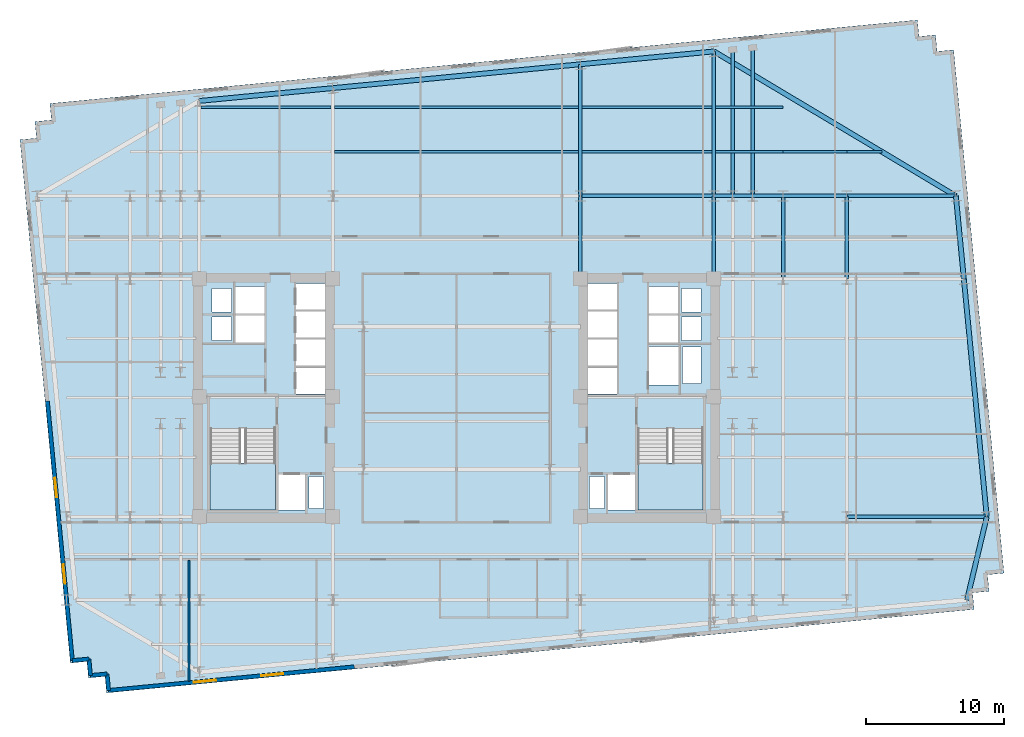
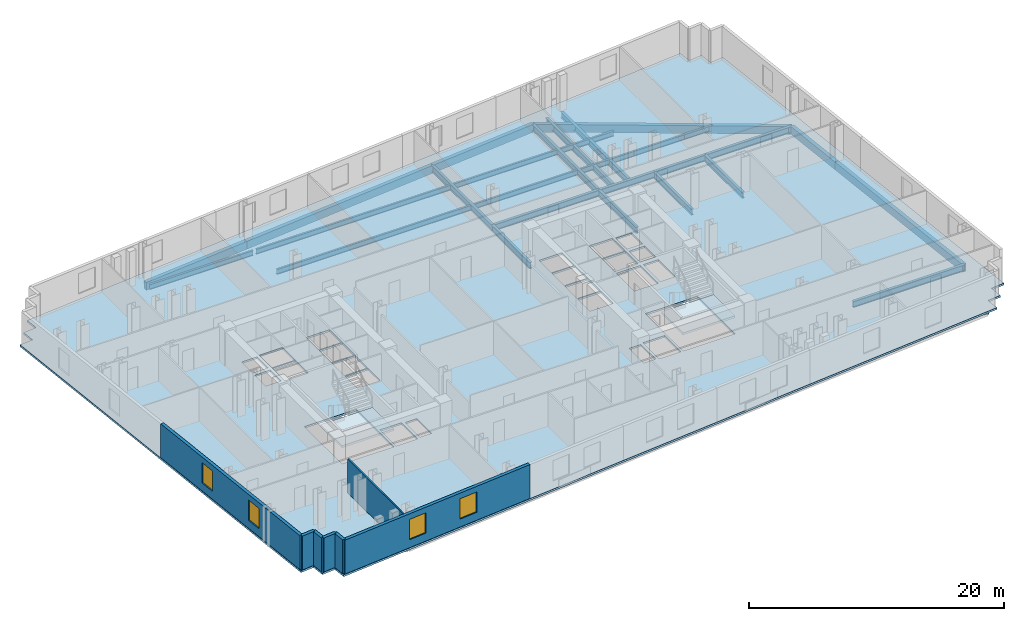
# One storey, part 3 of 11: 29 beams, 7 walls, 4 windows, 3 slabs, 4 openings, 2 elements without a shape of their own.
"""IFC4 building model written with IfcOpenShell, lengths in metres."""

from ifc_helpers import new_model, si_unit, direction, frame, frame_2d, origin, origin_2d, place, context, subcontext, project, spatial, polyline, rectangle, i_section, outline, extrude, material, layer, layer_set, material_profile, profile_set, type_object, element, fill, aggregate, save


model = new_model("IFC4")

# Units and contexts
model_context = context("Model", 3, precision=1e-05, world=origin(), true_north=direction((0.0, 1.0)))
body_context = subcontext(model_context, "Body", "Model", "MODEL_VIEW")
ifc_project = project(units=[si_unit("LENGTHUNIT", "METRE"), si_unit("AREAUNIT", "SQUARE_METRE"), si_unit("VOLUMEUNIT", "CUBIC_METRE"), si_unit("PLANEANGLEUNIT", "RADIAN"), si_unit("MASSUNIT", "GRAM", prefix="KILO")], contexts=[model_context])

# Site, building, storey
site_placement = place(None, origin())
site = spatial("IfcSite", under=ifc_project, at=site_placement, CompositionType="ELEMENT")
building_placement = place(site_placement, origin())
building = spatial("IfcBuilding", under=site, at=building_placement, Name="Velakula Bourse", CompositionType="ELEMENT")
storey_placement = place(building_placement, frame((0.0, 0.0, 105.25)))
storey = spatial("IfcBuildingStorey", under=building, at=storey_placement, Name="L28", CompositionType="ELEMENT", Elevation=105.25)

# Beams
ifc_material_1 = material(Name="Steel IS 2062 Grade 350 (E350)", Category="steel")
ifc_material_profile_1 = material_profile(ifc_material_1, i_section(OverallWidth=0.25, OverallDepth=0.60009765625, WebThickness=0.01171875, FlangeThickness=0.023681640625, at=origin_2d()), Name="Steel IS 2062 Grade 350 (E350)")
ifc_profile_set_1 = profile_set([ifc_material_profile_1], Name="Steel IS 2062 Grade 350 (E350)")
beam_type_1 = type_object("IfcBeamType", Name="BM-GRD-600H", PredefinedType="BEAM", material=ifc_profile_set_1)
for number, where, z_axis, x_axis, name in (
    (1, (8.949951171875, 8.60009765625, -0.47998046875), (0.0, 1.0, 0.0), (-1.0, 0.0, 0.0), "L28 Fulcrum Grid Girder FLC-ECN"),
    (2, (18.60009765625, 8.60009765625, -0.47998046875), (0.0, 1.0, 0.0), (-1.0, 0.0, 0.0), "L28 Fulcrum Grid Girder FLC-EN"),
):
    element("IfcBeam", number, at=place(storey_placement, frame(where, z_axis=z_axis, x_axis=x_axis)), inside=storey, type_object=beam_type_1, Name=name, PredefinedType="BEAM", context=body_context, shape_type="SweptSolid", body=[
        extrude(i_section(OverallWidth=0.25, OverallDepth=0.60009765625, WebThickness=0.01171875, FlangeThickness=0.023681640625, at=origin_2d()), origin(), (0.0, 0.0, 1.0), 6.0),
    ])
beam_1_placement = place(storey_placement, frame((8.949951171875, 14.60009765625, -0.47998046875), z_axis=(1.0, 0.0, 0.0), x_axis=(0.0, 1.0, 0.0)))
element("IfcBeam", 3, at=beam_1_placement, inside=storey, type_object=beam_type_1, Name="L28 Fulcrum Grid Girder FLC-N3", PredefinedType="BEAM", context=body_context, shape_type="SweptSolid", body=[
    extrude(i_section(OverallWidth=0.25, OverallDepth=0.60009765625, WebThickness=0.01171875, FlangeThickness=0.023681640625, at=origin_2d()), origin(), (0.0, 0.0, 1.0), 9.650146484375),
])
beam_2_placement = place(storey_placement, frame((18.60009765625, 14.60009765625, -0.47998046875), z_axis=(1.0, 0.0, 0.0), x_axis=(0.0, 1.0, 0.0)))
element("IfcBeam", 4, at=beam_2_placement, inside=storey, type_object=beam_type_1, Name="L28 Fulcrum Grid Girder MWG-EN2", PredefinedType="BEAM", context=body_context, shape_type="SweptSolid", body=[
    extrude(i_section(OverallWidth=0.25, OverallDepth=0.60009765625, WebThickness=0.01171875, FlangeThickness=0.023681640625, at=origin_2d()), origin(), (0.0, 0.0, 1.0), 5.0),
])
beam_3_placement = place(storey_placement, frame((23.60009765625, 8.60009765625, -0.47998046875), z_axis=(0.0, 1.0, 0.0), x_axis=(-1.0, 0.0, 0.0)))
element("IfcBeam", 5, at=beam_3_placement, inside=storey, type_object=beam_type_1, Name="L28 Fulcrum Grid Girder MWG-ENS3", PredefinedType="BEAM", context=body_context, shape_type="SweptSolid", body=[
    extrude(i_section(OverallWidth=0.25, OverallDepth=0.60009765625, WebThickness=0.01171875, FlangeThickness=0.023681640625, at=origin_2d()), origin(), (0.0, 0.0, 1.0), 6.0),
])
beam_4_placement = place(storey_placement, frame((23.60009765625, 14.60009765625, -0.47998046875), z_axis=(1.0, 0.0, 0.0), x_axis=(0.0, 1.0, 0.0)))
element("IfcBeam", 6, at=beam_4_placement, inside=storey, type_object=beam_type_1, Name="L28 Fulcrum Grid Girder WNG-EN2", PredefinedType="BEAM", context=body_context, shape_type="SweptSolid", body=[
    extrude(i_section(OverallWidth=0.25, OverallDepth=0.60009765625, WebThickness=0.01171875, FlangeThickness=0.023681640625, at=origin_2d()), origin(), (0.0, 0.0, 1.0), 4.599853515625),
])
beam_5_placement = place(storey_placement, frame((28.199951171875, 8.60009765625, -0.47998046875), z_axis=(0.0, 1.0, 0.0), x_axis=(-1.0, 0.0, 0.0)))
element("IfcBeam", 7, at=beam_5_placement, inside=storey, type_object=beam_type_1, Name="L28 Fulcrum Grid Girder WNG-ENS3", PredefinedType="BEAM", context=body_context, shape_type="SweptSolid", body=[
    extrude(i_section(OverallWidth=0.25, OverallDepth=0.60009765625, WebThickness=0.01171875, FlangeThickness=0.023681640625, at=origin_2d()), origin(), (0.0, 0.0, 1.0), 6.0),
])
beam_6_placement = place(storey_placement, frame((8.949951171875, 14.60009765625, -0.47998046875), z_axis=(0.0, 1.0, 0.0), x_axis=(-1.0, 0.0, 0.0)))
element("IfcBeam", 8, at=beam_6_placement, inside=storey, type_object=beam_type_1, Name="L28 Perimeter Tie Girder N3", PredefinedType="BEAM", context=body_context, shape_type="SweptSolid", body=[
    extrude(i_section(OverallWidth=0.25, OverallDepth=0.60009765625, WebThickness=0.01171875, FlangeThickness=0.023681640625, at=origin_2d()), origin(), (0.0, 0.0, 1.0), 9.521484375),
])
beam_7_placement = place(storey_placement, frame((18.60009765625, 14.60009765625, -0.47998046875), z_axis=(0.0, 1.0, 0.0), x_axis=(-1.0, 0.0, 0.0)))
element("IfcBeam", 9, at=beam_7_placement, inside=storey, type_object=beam_type_1, Name="L28 Perimeter Tie Girder N4", PredefinedType="BEAM", context=body_context, shape_type="SweptSolid", body=[
    extrude(i_section(OverallWidth=0.25, OverallDepth=0.60009765625, WebThickness=0.01171875, FlangeThickness=0.023681640625, at=origin_2d()), origin(), (0.0, 0.0, 1.0), 10.45068359375),
])
beam_8_placement = place(storey_placement, frame((28.199951171875, -8.60009765625, -0.47998046875), z_axis=(1.0, 0.0, 0.0), x_axis=(0.0, 1.0, 0.0)))
element("IfcBeam", 10, at=beam_8_placement, inside=storey, type_object=beam_type_1, Name="L28 Perimeter Tie Girder E2", PredefinedType="BEAM", context=body_context, shape_type="SweptSolid", body=[
    extrude(i_section(OverallWidth=0.25, OverallDepth=0.60009765625, WebThickness=0.01171875, FlangeThickness=0.023681640625, at=origin_2d()), origin(), (0.0, 0.0, 1.0), 10.119873046875),
])
beam_9_placement = place(storey_placement, frame((28.199951171875, 14.60009765625, -0.47998046875), z_axis=(1.0, 0.0, 0.0), x_axis=(0.0, 1.0, 0.0)))
element("IfcBeam", 11, at=beam_9_placement, inside=storey, type_object=beam_type_1, Name="L28 Perimeter Tie Girder E4", PredefinedType="BEAM", context=body_context, shape_type="SweptSolid", body=[
    extrude(i_section(OverallWidth=0.25, OverallDepth=0.60009765625, WebThickness=0.01171875, FlangeThickness=0.023681640625, at=origin_2d()), origin(), (0.0, 0.0, 1.0), 7.885986328125),
])
beam_10_placement = place(storey_placement, frame((19.949951171875, 14.60009765625, -0.47998046875), z_axis=(0.0, 1.0, 0.0), x_axis=(-1.0, 0.0, 0.0)))
element("IfcBeam", 12, at=beam_10_placement, inside=storey, type_object=beam_type_1, Name="L28 Perimeter Tie Girder P07", PredefinedType="BEAM", context=body_context, shape_type="SweptSolid", body=[
    extrude(i_section(OverallWidth=0.25, OverallDepth=0.60009765625, WebThickness=0.01171875, FlangeThickness=0.023681640625, at=origin_2d()), origin(), (0.0, 0.0, 1.0), 10.580810546875),
])
beam_11_placement = place(storey_placement, frame((21.39990234375, 14.60009765625, -0.47998046875), z_axis=(0.0, 1.0, 0.0), x_axis=(-1.0, 0.0, 0.0)))
element("IfcBeam", 13, at=beam_11_placement, inside=storey, type_object=beam_type_1, Name="L28 Perimeter Tie Girder P08", PredefinedType="BEAM", context=body_context, shape_type="SweptSolid", body=[
    extrude(i_section(OverallWidth=0.25, OverallDepth=0.60009765625, WebThickness=0.01171875, FlangeThickness=0.023681640625, at=origin_2d()), origin(), (0.0, 0.0, 1.0), 10.720458984375),
])
ifc_material_profile_2 = material_profile(ifc_material_1, i_section(OverallWidth=0.179931640625, OverallDepth=0.5, WebThickness=0.01025390625, FlangeThickness=0.01708984375, at=origin_2d()), Name="Steel IS 2062 Grade 350 (E350)")
ifc_profile_set_2 = profile_set([ifc_material_profile_2], Name="Steel IS 2062 Grade 350 (E350)")
beam_type_2 = type_object("IfcBeamType", Name="JST-TWR-500", PredefinedType="JOIST", material=ifc_profile_set_2)
beam_12_placement = place(storey_placement, frame((-8.824951171875, 17.800048828125, -0.429931640625), z_axis=(1.0, 0.0, 0.0), x_axis=(0.0, 1.0, 0.0)))
element("IfcBeam", 14, at=beam_12_placement, inside=storey, type_object=beam_type_2, Name="L28 Trading Floor Composite Joist 22", PredefinedType="JOIST", context=body_context, shape_type="SweptSolid", body=[
    extrude(i_section(OverallWidth=0.179931640625, OverallDepth=0.5, WebThickness=0.01025390625, FlangeThickness=0.01708984375, at=origin_2d()), origin(), (0.0, 0.0, 1.0), 17.64990234375),
])
beam_13_placement = place(storey_placement, frame((9.074951171875, 17.800048828125, -0.429931640625), z_axis=(1.0, 0.0, 0.0), x_axis=(0.0, 1.0, 0.0)))
element("IfcBeam", 15, at=beam_13_placement, inside=storey, type_object=beam_type_2, Name="L28 Trading Floor Composite Joist 23", PredefinedType="JOIST", context=body_context, shape_type="SweptSolid", body=[
    extrude(i_section(OverallWidth=0.179931640625, OverallDepth=0.5, WebThickness=0.01025390625, FlangeThickness=0.01708984375, at=origin_2d()), origin(), (0.0, 0.0, 1.0), 9.400146484375),
])
beam_14_placement = place(storey_placement, frame((18.72509765625, 17.800048828125, -0.429931640625), z_axis=(1.0, 0.0, 0.0), x_axis=(0.0, 1.0, 0.0)))
element("IfcBeam", 16, at=beam_14_placement, inside=storey, type_object=beam_type_2, Name="L28 Trading Floor Composite Joist 24", PredefinedType="JOIST", context=body_context, shape_type="SweptSolid", body=[
    extrude(i_section(OverallWidth=0.179931640625, OverallDepth=0.5, WebThickness=0.01025390625, FlangeThickness=0.01708984375, at=origin_2d()), origin(), (0.0, 0.0, 1.0), 4.875),
])
beam_15_placement = place(storey_placement, frame((23.60009765625, 17.800048828125, -0.429931640625), z_axis=(1.0, 0.0, 0.0), x_axis=(0.0, 1.0, 0.0)))
element("IfcBeam", 17, at=beam_15_placement, inside=storey, type_object=beam_type_2, Name="L28 Trading Floor Composite Joist 25", PredefinedType="JOIST", context=body_context, shape_type="SweptSolid", body=[
    extrude(i_section(OverallWidth=0.179931640625, OverallDepth=0.5, WebThickness=0.01025390625, FlangeThickness=0.01708984375, at=origin_2d()), origin(), (0.0, 0.0, 1.0), 4.599853515625),
])
beam_16_placement = place(storey_placement, frame((28.199951171875, 17.800048828125, -0.429931640625), z_axis=(1.0, 0.0, 0.0), x_axis=(0.0, 1.0, 0.0)))
element("IfcBeam", 18, at=beam_16_placement, inside=storey, type_object=beam_type_2, Name="L28 Trading Floor Composite Joist 26", PredefinedType="JOIST", context=body_context, shape_type="SweptSolid", body=[
    extrude(i_section(OverallWidth=0.179931640625, OverallDepth=0.5, WebThickness=0.01025390625, FlangeThickness=0.01708984375, at=origin_2d()), origin(), (0.0, 0.0, 1.0), 2.53173828125),
])
beam_17_placement = place(storey_placement, frame((-18.47509765625, 21.0, -0.429931640625), z_axis=(1.0, 0.0, 0.0), x_axis=(0.0, 1.0, 0.0)))
element("IfcBeam", 19, at=beam_17_placement, inside=storey, type_object=beam_type_2, Name="L28 Trading Floor Composite Joist 27", PredefinedType="JOIST", context=body_context, shape_type="SweptSolid", body=[
    extrude(i_section(OverallWidth=0.179931640625, OverallDepth=0.5, WebThickness=0.01025390625, FlangeThickness=0.01708984375, at=origin_2d()), origin(), (0.0, 0.0, 1.0), 9.400146484375),
])
beam_18_placement = place(storey_placement, frame((-8.824951171875, 21.0, -0.429931640625), z_axis=(1.0, 0.0, 0.0), x_axis=(0.0, 1.0, 0.0)))
element("IfcBeam", 20, at=beam_18_placement, inside=storey, type_object=beam_type_2, Name="L28 Trading Floor Composite Joist 28", PredefinedType="JOIST", context=body_context, shape_type="SweptSolid", body=[
    extrude(i_section(OverallWidth=0.179931640625, OverallDepth=0.5, WebThickness=0.01025390625, FlangeThickness=0.01708984375, at=origin_2d()), origin(), (0.0, 0.0, 1.0), 17.64990234375),
])
beam_19_placement = place(storey_placement, frame((9.074951171875, 21.0, -0.429931640625), z_axis=(1.0, 0.0, 0.0), x_axis=(0.0, 1.0, 0.0)))
element("IfcBeam", 21, at=beam_19_placement, inside=storey, type_object=beam_type_2, Name="L28 Trading Floor Composite Joist 29", PredefinedType="JOIST", context=body_context, shape_type="SweptSolid", body=[
    extrude(i_section(OverallWidth=0.179931640625, OverallDepth=0.5, WebThickness=0.01025390625, FlangeThickness=0.01708984375, at=origin_2d()), origin(), (0.0, 0.0, 1.0), 9.400146484375),
])
beam_20_placement = place(storey_placement, frame((18.72509765625, 21.0, -0.429931640625), z_axis=(1.0, 0.0, 0.0), x_axis=(0.0, 1.0, 0.0)))
element("IfcBeam", 22, at=beam_20_placement, inside=storey, type_object=beam_type_2, Name="L28 Trading Floor Composite Joist 30", PredefinedType="JOIST", context=body_context, shape_type="SweptSolid", body=[
    extrude(i_section(OverallWidth=0.179931640625, OverallDepth=0.5, WebThickness=0.01025390625, FlangeThickness=0.01708984375, at=origin_2d()), origin(), (0.0, 0.0, 1.0), 4.875),
])
ifc_material_2 = material(Name="Precast concrete M45 (fck 45 MPa)", Category="concrete")
ifc_material_profile_3 = material_profile(ifc_material_2, rectangle(XDim=0.35009765625, YDim=0.75, at=origin_2d()), Name="Precast concrete M45 (fck 45 MPa)")
ifc_profile_set_3 = profile_set([ifc_material_profile_3], Name="Precast concrete M45 (fck 45 MPa)")
beam_type_3 = type_object("IfcBeamType", Name="SPN-BRICK-750", PredefinedType="SPANDREL", material=ifc_profile_set_3)
beam_21_placement = place(storey_placement, frame((-18.60009765625, 21.468994140625, -0.554931640625), z_axis=(0.99539623971, 0.095845323155, 0.0), x_axis=(-0.095845323155, 0.99539623971, 0.0)))
element("IfcBeam", 23, at=beam_21_placement, inside=storey, type_object=beam_type_3, Name="L28 Brick-Faced Precast Spandrel N1-N2", PredefinedType="SPANDREL", context=body_context, shape_type="SweptSolid", body=[
    extrude(rectangle(XDim=0.35009765625, YDim=0.75, at=origin_2d()), origin(), (0.0, 0.0, 1.0), 9.69482421875),
])
beam_22_placement = place(storey_placement, frame((-8.949951171875, 22.398193359375, -0.554931640625), z_axis=(0.995397131467, 0.095836061418, 0.0), x_axis=(-0.095836061418, 0.995397131467, 0.0)))
element("IfcBeam", 24, at=beam_22_placement, inside=storey, type_object=beam_type_3, Name="L28 Brick-Faced Precast Spandrel N2-N3", PredefinedType="SPANDREL", context=body_context, shape_type="SweptSolid", body=[
    extrude(rectangle(XDim=0.35009765625, YDim=0.75, at=origin_2d()), origin(), (0.0, 0.0, 1.0), 17.982666015625),
])
beam_23_placement = place(storey_placement, frame((8.949951171875, 24.12158203125, -0.554931640625), z_axis=(0.99539623971, 0.095845323155, 0.0), x_axis=(-0.095845323155, 0.99539623971, 0.0)))
element("IfcBeam", 25, at=beam_23_placement, inside=storey, type_object=beam_type_3, Name="L28 Brick-Faced Precast Spandrel N3-N4", PredefinedType="SPANDREL", context=body_context, shape_type="SweptSolid", body=[
    extrude(rectangle(XDim=0.35009765625, YDim=0.75, at=origin_2d()), origin(), (0.0, 0.0, 1.0), 9.69482421875),
])
beam_24_placement = place(storey_placement, frame((36.88818359375, -14.60009765625, -0.554931640625), z_axis=(0.232091371601, 0.972693988482, 0.0), x_axis=(-0.972693988482, 0.232091371601, 0.0)))
element("IfcBeam", 26, at=beam_24_placement, inside=storey, type_object=beam_type_3, Name="L28 Brick-Faced Precast Spandrel E1-E2", PredefinedType="SPANDREL", context=body_context, shape_type="SweptSolid", body=[
    extrude(rectangle(XDim=0.35009765625, YDim=0.75, at=origin_2d()), origin(), (0.0, 0.0, 1.0), 6.16845703125),
])
beam_25_placement = place(storey_placement, frame((38.31982421875, -8.60009765625, -0.554931640625), z_axis=(-0.095849167925, 0.995395869495, 0.0), x_axis=(-0.995395869495, -0.095849167925, 0.0)))
element("IfcBeam", 27, at=beam_25_placement, inside=storey, type_object=beam_type_3, Name="L28 Brick-Faced Precast Spandrel E2-E3", PredefinedType="SPANDREL", context=body_context, shape_type="SweptSolid", body=[
    extrude(rectangle(XDim=0.35009765625, YDim=0.75, at=origin_2d()), origin(), (0.0, 0.0, 1.0), 17.27978515625),
])
beam_26_placement = place(storey_placement, frame((36.66357421875, 8.60009765625, -0.554931640625), z_axis=(-0.095829714309, 0.995397742541, 0.0), x_axis=(-0.995397742541, -0.095829714309, 0.0)))
element("IfcBeam", 28, at=beam_26_placement, inside=storey, type_object=beam_type_3, Name="L28 Brick-Faced Precast Spandrel E3-E4", PredefinedType="SPANDREL", context=body_context, shape_type="SweptSolid", body=[
    extrude(rectangle(XDim=0.35009765625, YDim=0.75, at=origin_2d()), origin(), (0.0, 0.0, 1.0), 6.02783203125),
])
beam_27_placement = place(storey_placement, frame((36.0859375, 14.60009765625, -0.554931640625), z_axis=(-0.858375715449, 0.513021569846, 0.0), x_axis=(-0.513021569846, -0.858375715449, 0.0)))
element("IfcBeam", 29, at=beam_27_placement, inside=storey, type_object=beam_type_3, Name="L28 Brick-Faced Precast Spandrel E4-N4", PredefinedType="SPANDREL", context=body_context, shape_type="SweptSolid", body=[
    extrude(rectangle(XDim=0.35009765625, YDim=0.75, at=origin_2d()), origin(), (0.0, 0.0, 1.0), 20.370849609375),
])

# Stair, slab
ifc_material_3 = material(Name="Concrete M45 (fck 45 MPa)", Category="concrete")
stair_type = type_object("IfcStairType", Name="STR-DOG-390", PredefinedType="HALF_TURN_STAIR", material=ifc_material_3)
stair_1_placement = place(storey_placement, origin())
stair_1 = element("IfcStair", 30, at=stair_1_placement, inside=storey, type_object=stair_type, Name="L28 West Core Exit Stair ST-W1", PredefinedType="HALF_TURN_STAIR")
ifc_layer_1 = layer(ifc_material_3, 0.199951171875, Name="Concrete M45 (fck 45 MPa)", Category="concrete")
ifc_layer_set_1 = layer_set([ifc_layer_1], Name="Concrete M45 (fck 45 MPa)")
slab_type_1 = type_object("IfcSlabType", Name="SLB-STAIR-LND-200", PredefinedType="LANDING", material=ifc_layer_set_1)
slab_1_placement = place(storey_placement, frame((0.0, 0.0, 1.52490234375)))
slab_1 = element("IfcSlab", 31, at=slab_1_placement, type_object=slab_type_1, Name="ST-W1 landing 1", PredefinedType="LANDING", context=body_context, shape_type="SweptSolid", body=[
    extrude(outline(polyline([(-17.820068359375, -4.719970703125), (-17.820068359375, -8.10009765625), (-13.10009765625, -8.10009765625), (-13.10009765625, -4.719970703125), (-17.820068359375, -4.719970703125)])), origin(), (0.0, 0.0, 1.0), 0.2001953125),
])
aggregate(stair_1, [slab_1])

stair_2_placement = place(storey_placement, origin())
stair_2 = element("IfcStair", 32, at=stair_2_placement, inside=storey, type_object=stair_type, Name="L28 East Core Exit Stair ST-E1", PredefinedType="HALF_TURN_STAIR")
slab_2_placement = place(storey_placement, frame((0.0, 0.0, 1.52490234375)))
slab_2 = element("IfcSlab", 33, at=slab_2_placement, type_object=slab_type_1, Name="ST-E1 landing 1", PredefinedType="LANDING", context=body_context, shape_type="SweptSolid", body=[
    extrude(outline(polyline([(13.10009765625, -4.719970703125), (13.10009765625, -8.10009765625), (17.820068359375, -8.10009765625), (17.820068359375, -4.719970703125), (13.10009765625, -4.719970703125)])), origin(), (0.0, 0.0, 1.0), 0.2001953125),
])
aggregate(stair_2, [slab_2])

# Slab
ifc_material_4 = material(Name="Concrete M50 (fck 50 MPa)", Category="concrete")
ifc_layer_2 = layer(ifc_material_4, 0.179931640625, Name="Concrete M50 (fck 50 MPa)", Category="concrete")
ifc_layer_set_2 = layer_set([ifc_layer_2], Name="Concrete M50 (fck 50 MPa)")
slab_type_2 = type_object("IfcSlabType", Name="SLB-TWR-180", PredefinedType="FLOOR", material=ifc_layer_set_2)
slab_3_placement = place(storey_placement, frame((0.0, 0.0, -0.179931640625)))
element("IfcSlab", 34, at=slab_3_placement, inside=storey, type_object=slab_type_2, Name="L28 Suspended Structural Floor Slab", PredefinedType="FLOOR", context=body_context, shape_type="SweptSolid", body=[
    extrude(outline(polyline([(-25.303955078125, -21.320556640625), (37.406005859375, -15.2822265625), (37.291015625, -14.087890625), (38.485595703125, -13.972900390625), (38.37060546875, -12.7783203125), (39.56494140625, -12.663330078125), (35.9228515625, 25.16162109375), (34.728271484375, 25.046630859375), (34.61328125, 26.2412109375), (33.4189453125, 26.126220703125), (33.303955078125, 27.320556640625), (-29.406005859375, 21.2822265625), (-29.291015625, 20.087890625), (-30.485595703125, 19.972900390625), (-30.37060546875, 18.7783203125), (-31.56494140625, 18.663330078125), (-27.9228515625, -19.16162109375), (-26.728271484375, -19.046630859375), (-26.61328125, -20.2412109375), (-25.4189453125, -20.126220703125), (-25.303955078125, -21.320556640625)]), holes=[polyline([(-17.820068359375, -8.10009765625), (-13.10009765625, -8.10009765625), (-13.10009765625, -2.199951171875), (-17.820068359375, -2.199951171875), (-17.820068359375, -8.10009765625)]), polyline([(13.10009765625, -8.10009765625), (17.820068359375, -8.10009765625), (17.820068359375, -2.199951171875), (13.10009765625, -2.199951171875), (13.10009765625, -8.10009765625)]), polyline([(-12.89990234375, -8.10009765625), (-10.949951171875, -8.10009765625), (-10.949951171875, -5.550048828125), (-12.89990234375, -5.550048828125), (-12.89990234375, -8.10009765625)]), polyline([(10.949951171875, -8.10009765625), (12.89990234375, -8.10009765625), (12.89990234375, -5.550048828125), (10.949951171875, -5.550048828125), (10.949951171875, -8.10009765625)]), polyline([(13.89990234375, 0.919921875), (16.050048828125, 0.919921875), (16.050048828125, 3.719970703125), (13.89990234375, 3.719970703125), (13.89990234375, 0.919921875)]), polyline([(-10.679931640625, -7.97998046875), (-9.6201171875, -7.97998046875), (-9.6201171875, -5.669921875), (-10.679931640625, -5.669921875), (-10.679931640625, -7.97998046875)]), polyline([(-17.679931640625, 4.139892578125), (-16.27001953125, 4.139892578125), (-16.27001953125, 5.85009765625), (-17.679931640625, 5.85009765625), (-17.679931640625, 4.139892578125)]), polyline([(-17.679931640625, 6.2099609375), (-16.27001953125, 6.2099609375), (-16.27001953125, 7.919921875), (-17.679931640625, 7.919921875), (-17.679931640625, 6.2099609375)]), polyline([(9.6201171875, -7.97998046875), (10.679931640625, -7.97998046875), (10.679931640625, -5.669921875), (9.6201171875, -5.669921875), (9.6201171875, -7.97998046875)]), polyline([(16.27001953125, 4.139892578125), (17.679931640625, 4.139892578125), (17.679931640625, 5.85009765625), (16.27001953125, 5.85009765625), (16.27001953125, 4.139892578125)]), polyline([(16.27001953125, 6.2099609375), (17.679931640625, 6.2099609375), (17.679931640625, 7.919921875), (16.27001953125, 7.919921875), (16.27001953125, 6.2099609375)]), polyline([(16.320068359375, 1.0400390625), (17.679931640625, 1.0400390625), (17.679931640625, 3.699951171875), (16.320068359375, 3.699951171875), (16.320068359375, 1.0400390625)]), polyline([(-11.60009765625, 0.280029296875), (-9.5, 0.280029296875), (-9.5, 2.199951171875), (-11.60009765625, 2.199951171875), (-11.60009765625, 0.280029296875)]), polyline([(-11.60009765625, 2.31005859375), (-9.5, 2.31005859375), (-9.5, 4.22998046875), (-11.60009765625, 4.22998046875), (-11.60009765625, 2.31005859375)]), polyline([(-11.60009765625, 4.340087890625), (-9.5, 4.340087890625), (-9.5, 6.260009765625), (-11.60009765625, 6.260009765625), (-11.60009765625, 4.340087890625)]), polyline([(-11.60009765625, 6.3701171875), (-9.5, 6.3701171875), (-9.5, 8.2900390625), (-11.60009765625, 8.2900390625), (-11.60009765625, 6.3701171875)]), polyline([(9.5, 0.280029296875), (11.60009765625, 0.280029296875), (11.60009765625, 2.199951171875), (9.5, 2.199951171875), (9.5, 0.280029296875)]), polyline([(9.5, 2.31005859375), (11.60009765625, 2.31005859375), (11.60009765625, 4.22998046875), (9.5, 4.22998046875), (9.5, 2.31005859375)]), polyline([(9.5, 4.340087890625), (11.60009765625, 4.340087890625), (11.60009765625, 6.260009765625), (9.5, 6.260009765625), (9.5, 4.340087890625)]), polyline([(9.5, 6.3701171875), (11.60009765625, 6.3701171875), (11.60009765625, 8.2900390625), (9.5, 8.2900390625), (9.5, 6.3701171875)]), polyline([(-16.0, 4.02001953125), (-13.89990234375, 4.02001953125), (-13.89990234375, 5.969970703125), (-16.0, 5.969970703125), (-16.0, 4.02001953125)]), polyline([(-16.0, 6.090087890625), (-13.89990234375, 6.090087890625), (-13.89990234375, 8.0400390625), (-16.0, 8.0400390625), (-16.0, 6.090087890625)]), polyline([(13.89990234375, 4.02001953125), (16.0, 4.02001953125), (16.0, 5.969970703125), (13.89990234375, 5.969970703125), (13.89990234375, 4.02001953125)]), polyline([(13.89990234375, 6.090087890625), (16.0, 6.090087890625), (16.0, 8.0400390625), (13.89990234375, 8.0400390625), (13.89990234375, 6.090087890625)])]), origin(), (0.0, 0.0, 1.0), 0.179931640625),
])

# Wall, openings, windows
ifc_material_5 = material(Name="Red kilned clay facing brick masonry", Category="masonry")
ifc_layer_3 = layer(ifc_material_5, 0.280029296875, Name="Red kilned clay facing brick masonry", Category="masonry")
ifc_layer_set_3 = layer_set([ifc_layer_3], Name="Red kilned clay facing brick masonry")
wall_type_1 = type_object("IfcWallType", Name="WL-EXT-BRK-280", PredefinedType="STANDARD", material=ifc_layer_set_3)
wall_1_placement = place(storey_placement, frame((-7.402099609375, -19.43603515625, 0.0), z_axis=(0.0, 0.0, 1.0), x_axis=(-0.995395780835, -0.095850088663, 0.0)))
wall_1 = element("IfcWall", 35, at=wall_1_placement, inside=storey, type_object=wall_type_1, Name="L28 S Brick Spandrel Wall B1", PredefinedType="STANDARD", context=body_context, shape_type="SweptSolid", body=[
    extrude(rectangle(XDim=17.83984375, YDim=0.280029296875, at=frame_2d((8.919921875, 0.0))), origin(), (0.0, 0.0, 1.0), 3.25),
])
opening_1_placement = place(wall_1_placement, frame((5.146728515625, 0.0, 0.760009765625)))
opening_1 = element("IfcOpeningElement", 36, at=opening_1_placement, cuts=wall_1, Name="Opening W-02", PredefinedType="OPENING", context=body_context, shape_type="SweptSolid", body=[
    extrude(rectangle(XDim=1.60009765625, YDim=1.949951171875, at=frame_2d((0.800048828125, 0.97509765625))), frame((0.0, 0.14990234375, 0.0), z_axis=(0.0, -1.0, 0.0), x_axis=(1.0, 0.0, 0.0)), (0.0, 0.0, 1.0), 0.300048828125),
])
opening_2_placement = place(wall_1_placement, frame((10.043212890625, 0.0, 0.760009765625)))
opening_2 = element("IfcOpeningElement", 37, at=opening_2_placement, cuts=wall_1, Name="Opening W-02", PredefinedType="OPENING", context=body_context, shape_type="SweptSolid", body=[
    extrude(rectangle(XDim=1.60009765625, YDim=1.949951171875, at=frame_2d((0.800048828125, 0.97509765625))), frame((0.0, 0.14990234375, 0.0), z_axis=(0.0, -1.0, 0.0), x_axis=(1.0, 0.0, 0.0)), (0.0, 0.0, 1.0), 0.300048828125),
])
ifc_material_6 = material(Name="Double-glazed solar-control Low-E glass", Category="glass")
window_type_1 = type_object("IfcWindowType", Name="WIN-TWR-1600x2100", PartitioningType="SINGLE_PANEL", PredefinedType="WINDOW", material=ifc_material_6)
window_1_placement = place(opening_1_placement, origin())
window_1 = element("IfcWindow", 38, at=window_1_placement, inside=storey, type_object=window_type_1, Name="L28 Deep-Set Recessed Window 1", OverallHeight=1.949951171875, OverallWidth=1.60009765625, PartitioningType="SINGLE_PANEL", PredefinedType="WINDOW", context=body_context, shape_type="SweptSolid", body=[
    extrude(rectangle(XDim=1.60009765625, YDim=1.949951171875, at=frame_2d((0.800048828125, 0.97509765625))), frame((0.0, 0.030029296875, 0.0), z_axis=(0.0, -1.0, 0.0), x_axis=(1.0, 0.0, 0.0)), (0.0, 0.0, 1.0), 0.06005859375),
])
fill(opening_1, window_1)
window_2_placement = place(opening_2_placement, origin())
window_2 = element("IfcWindow", 39, at=window_2_placement, inside=storey, type_object=window_type_1, Name="L28 Deep-Set Recessed Window 2", OverallHeight=1.949951171875, OverallWidth=1.60009765625, PartitioningType="SINGLE_PANEL", PredefinedType="WINDOW", context=body_context, shape_type="SweptSolid", body=[
    extrude(rectangle(XDim=1.60009765625, YDim=1.949951171875, at=frame_2d((0.800048828125, 0.97509765625))), frame((0.0, 0.030029296875, 0.0), z_axis=(0.0, -1.0, 0.0), x_axis=(1.0, 0.0, 0.0)), (0.0, 0.0, 1.0), 0.06005859375),
])
fill(opening_2, window_2)

wall_2_placement = place(storey_placement, frame((-27.779052734375, -18.987060546875, 0.0), z_axis=(0.0, 0.0, 1.0), x_axis=(-0.095842534142, 0.995396508256, 0.0)))
wall_2 = element("IfcWall", 40, at=wall_2_placement, inside=storey, type_object=wall_type_1, Name="L28 W Brick End Wall W1", PredefinedType="STANDARD", context=body_context, shape_type="SweptSolid", body=[
    extrude(rectangle(XDim=18.83984375, YDim=0.280029296875, at=frame_2d((9.419921875, 0.0))), origin(), (0.0, 0.0, 1.0), 3.25),
])
opening_3_placement = place(wall_2_placement, frame((5.580078125, 0.0, 0.760009765625)))
opening_3 = element("IfcOpeningElement", 41, at=opening_3_placement, cuts=wall_2, Name="Opening W-03", PredefinedType="OPENING", context=body_context, shape_type="SweptSolid", body=[
    extrude(rectangle(XDim=1.39990234375, YDim=1.949951171875, at=frame_2d((0.699951171875, 0.97509765625))), frame((0.0, 0.14990234375, 0.0), z_axis=(0.0, -1.0, 0.0), x_axis=(1.0, 0.0, 0.0)), (0.0, 0.0, 1.0), 0.300048828125),
])
opening_4_placement = place(wall_2_placement, frame((11.860107421875, 0.0, 0.760009765625)))
opening_4 = element("IfcOpeningElement", 42, at=opening_4_placement, cuts=wall_2, Name="Opening W-03", PredefinedType="OPENING", context=body_context, shape_type="SweptSolid", body=[
    extrude(rectangle(XDim=1.39990234375, YDim=1.949951171875, at=frame_2d((0.699951171875, 0.97509765625))), frame((0.0, 0.14990234375, 0.0), z_axis=(0.0, -1.0, 0.0), x_axis=(1.0, 0.0, 0.0)), (0.0, 0.0, 1.0), 0.300048828125),
])
window_type_2 = type_object("IfcWindowType", Name="WIN-TWR-1400x2100", PartitioningType="SINGLE_PANEL", PredefinedType="WINDOW", material=ifc_material_6)
window_3_placement = place(opening_3_placement, origin())
window_3 = element("IfcWindow", 43, at=window_3_placement, inside=storey, type_object=window_type_2, Name="L28 Deep-Set Recessed Window 1", OverallHeight=1.949951171875, OverallWidth=1.39990234375, PartitioningType="SINGLE_PANEL", PredefinedType="WINDOW", context=body_context, shape_type="SweptSolid", body=[
    extrude(rectangle(XDim=1.39990234375, YDim=1.949951171875, at=frame_2d((0.699951171875, 0.97509765625))), frame((0.0, 0.030029296875, 0.0), z_axis=(0.0, -1.0, 0.0), x_axis=(1.0, 0.0, 0.0)), (0.0, 0.0, 1.0), 0.06005859375),
])
fill(opening_3, window_3)
window_4_placement = place(opening_4_placement, origin())
window_4 = element("IfcWindow", 44, at=window_4_placement, inside=storey, type_object=window_type_2, Name="L28 Deep-Set Recessed Window 2", OverallHeight=1.949951171875, OverallWidth=1.39990234375, PartitioningType="SINGLE_PANEL", PredefinedType="WINDOW", context=body_context, shape_type="SweptSolid", body=[
    extrude(rectangle(XDim=1.39990234375, YDim=1.949951171875, at=frame_2d((0.699951171875, 0.97509765625))), frame((0.0, 0.030029296875, 0.0), z_axis=(0.0, -1.0, 0.0), x_axis=(1.0, 0.0, 0.0)), (0.0, 0.0, 1.0), 0.06005859375),
])
fill(opening_4, window_4)

# Walls
for number, where, z_axis, x_axis, name in (
    (45, (-27.779052734375, -18.987060546875, 0.0), (0.0, 0.0, 1.0), (0.995398960025, 0.095817067274, 0.0), "L28 Serrated Corner Brick Wall SW-1"),
    (46, (-26.58447265625, -18.8720703125, 0.0), (0.0, 0.0, 1.0), (0.095817067274, -0.995398960025, 0.0), "L28 Serrated Corner Brick Wall SW-2"),
    (47, (-26.469482421875, -20.066650390625, 0.0), (0.0, 0.0, 1.0), (0.995398960025, 0.095817067274, 0.0), "L28 Serrated Corner Brick Wall SW-3"),
):
    element("IfcWall", number, at=place(storey_placement, frame(where, z_axis=z_axis, x_axis=x_axis)), inside=storey, type_object=wall_type_1, Name=name, PredefinedType="STANDARD", context=body_context, shape_type="SweptSolid", body=[
        extrude(rectangle(XDim=1.2001953125, YDim=0.280029296875, at=frame_2d((0.60009765625, 0.0))), origin(), (0.0, 0.0, 1.0), 3.25),
    ])
wall_3_placement = place(storey_placement, frame((-25.27490234375, -19.95166015625, 0.0), z_axis=(0.0, 0.0, 1.0), x_axis=(0.095836473879, -0.995397091755, 0.0)))
element("IfcWall", 48, at=wall_3_placement, inside=storey, type_object=wall_type_1, Name="L28 Serrated Corner Brick Wall SW-4", PredefinedType="STANDARD", context=body_context, shape_type="SweptSolid", body=[
    extrude(rectangle(XDim=1.199951171875, YDim=0.280029296875, at=frame_2d((0.60009765625, 0.0))), origin(), (0.0, 0.0, 1.0), 3.25),
])
ifc_material_7 = material(Name="Fire-rated double-layer gypsum drywall partition", Category="gypsum")
ifc_layer_4 = layer(ifc_material_7, 0.1201171875, Name="Fire-rated double-layer gypsum drywall partition", Category="gypsum")
ifc_layer_set_4 = layer_set([ifc_layer_4], Name="Fire-rated double-layer gypsum drywall partition")
wall_type_2 = type_object("IfcWallType", Name="WL-PART-120", PredefinedType="STANDARD", material=ifc_layer_set_4)
wall_4_placement = place(storey_placement, frame((-19.35400390625, -20.46630859375, 0.0), z_axis=(0.0, 0.0, 1.0), x_axis=(0.0, 1.0, 0.0)))
element("IfcWall", 49, at=wall_4_placement, inside=storey, type_object=wall_type_2, Name="L28 Interior Partition WL-INT-L28-SL-D5", PredefinedType="STANDARD", context=body_context, shape_type="SweptSolid", body=[
    extrude(rectangle(XDim=8.726318359375, YDim=0.1201171875, at=frame_2d((4.36328125, 0.0))), origin(), (0.0, 0.0, 1.0), 3.25),
])

save(model, "model.ifc")
